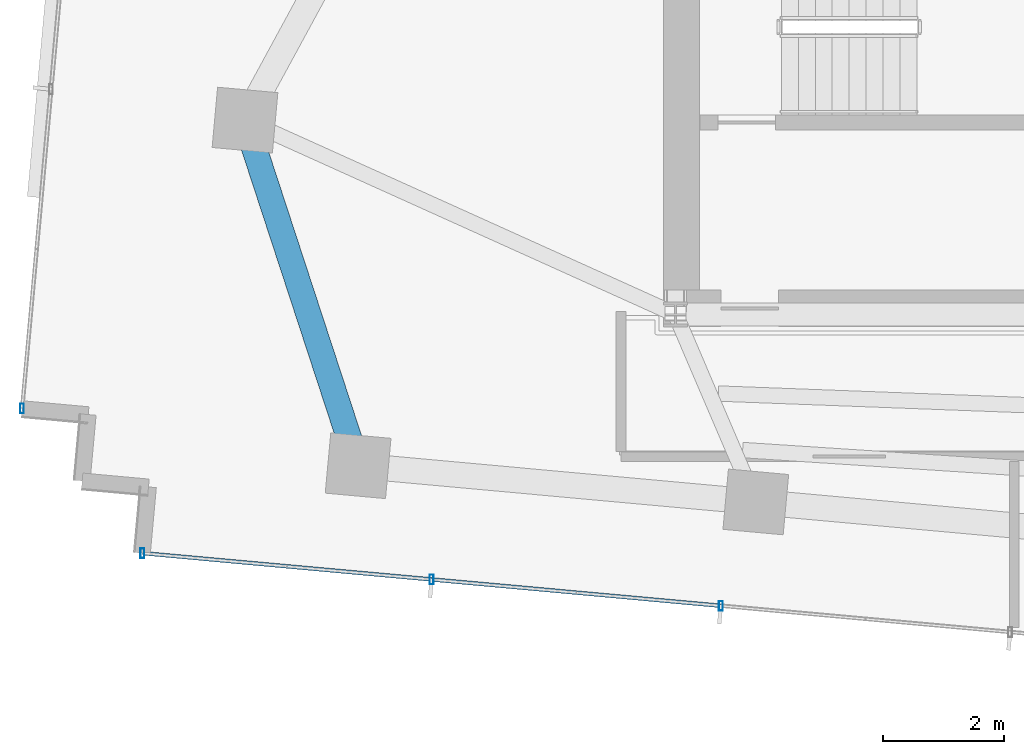
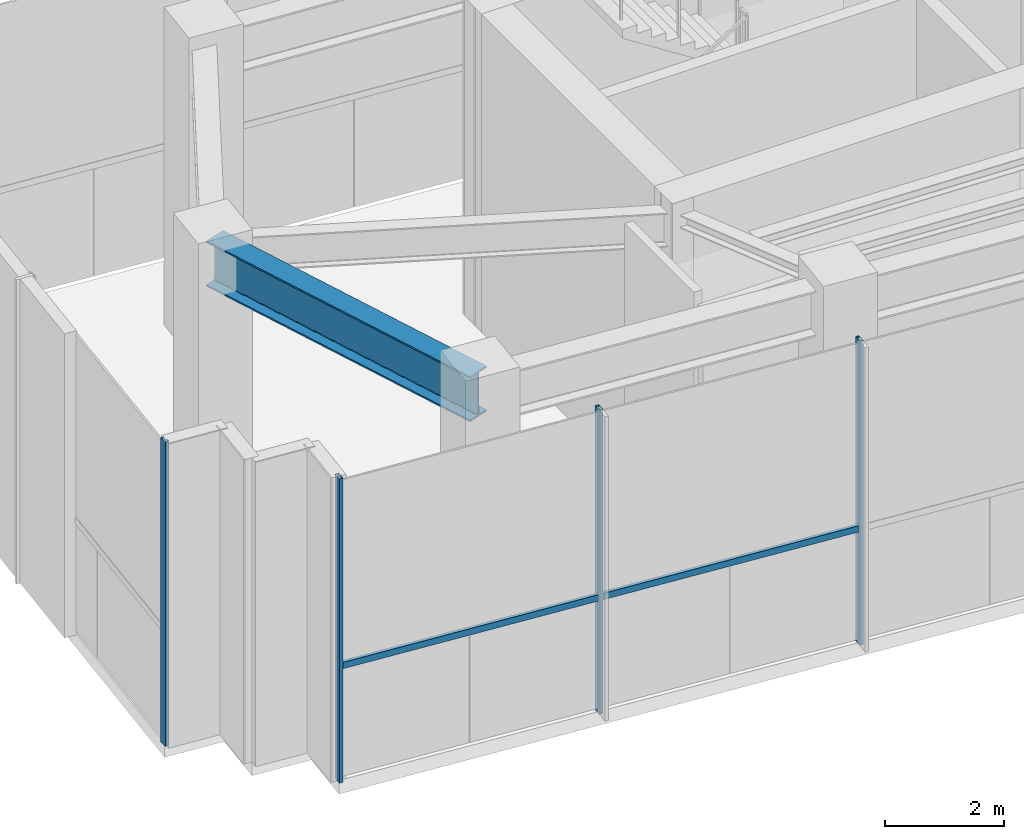
# One storey, part 2 of 18: 6 members, 1 beam, 2 elements without a shape of their own.
"""IFC4 building model written with IfcOpenShell, lengths in metres."""

from ifc_helpers import new_model, si_unit, direction, frame, origin, origin_2d, place, context, subcontext, project, spatial, hollow_rectangle, i_section, extrude, source, transform, mapped, material, material_profile, profile_set, type_object, type_shapes, element, aggregate, save


model = new_model("IFC4")

# Units and contexts
model_context = context("Model", 3, precision=1e-05, world=origin(), true_north=direction((0.0, 1.0)))
body_context = subcontext(model_context, "Body", "Model", "MODEL_VIEW")
ifc_project = project(units=[si_unit("LENGTHUNIT", "METRE"), si_unit("AREAUNIT", "SQUARE_METRE"), si_unit("VOLUMEUNIT", "CUBIC_METRE"), si_unit("PLANEANGLEUNIT", "RADIAN"), si_unit("MASSUNIT", "GRAM", prefix="KILO")], contexts=[model_context])

# Site, building, storey
site_placement = place(None, origin())
site = spatial("IfcSite", under=ifc_project, at=site_placement, CompositionType="ELEMENT")
building_placement = place(site_placement, origin())
building = spatial("IfcBuilding", under=site, at=building_placement, Name="Astriad Promenade Condominiums", CompositionType="ELEMENT")
storey_placement = place(building_placement, frame((0.0, 0.0, 277.300048828125)))
storey = spatial("IfcBuildingStorey", under=building, at=storey_placement, Name="L78", CompositionType="ELEMENT", Elevation=277.300048828125)

# Beam
ifc_material_1 = material(Name="Steel ASTM A992 Grade 50", Category="steel")
ifc_material_profile_1 = material_profile(ifc_material_1, i_section(OverallWidth=0.418212890625, OverallDepth=0.926513671875, WebThickness=0.019287109375, FlangeThickness=0.031982421875, FilletRadius=0.024169921875, at=origin_2d()), Name="W36X231")
ifc_profile_set_1 = profile_set([ifc_material_profile_1], Name="Steel ASTM A992 Grade 50")
beam_type = type_object("IfcBeamType", Name="STEEL CROWN RING BEAM W36X231", PredefinedType="BEAM", material=ifc_profile_set_1)
shared_shape_1 = source(origin(), body_context, "Body", "SweptSolid", [
    extrude(i_section(OverallWidth=0.418212890625, OverallDepth=0.926513671875, WebThickness=0.019287109375, FlangeThickness=0.031982421875, FilletRadius=0.024169921875, at=origin_2d()), origin(), (0.0, 0.0, 1.0), 5.931640625),
])
type_shapes(beam_type, [shared_shape_1])
beam_placement = place(storey_placement, frame((19.29638671875, 20.57421875, 5.756591796875), z_axis=(0.3110863773, -0.950381642215, 0.0), x_axis=(0.950381642215, 0.3110863773, 0.0)))
element("IfcBeam", 1, at=beam_placement, inside=storey, type_object=beam_type, Name="Perimeter Spandrel Beam SP-W1-L78", PredefinedType="BEAM", context=body_context, shape_type="MappedRepresentation", body=[
    mapped(shared_shape_1, transform((0.0, 0.0, 0.0), scale=1.0)),
])

# Curtain wall, member
ifc_material_2 = material(Name="Anodised aluminium Black Dark Glass Unitised", Category="aluminium")
curtain_wall_type = type_object("IfcCurtainWallType", Name="CW-TMD-LANTERN", PredefinedType="USERDEFINED", material=ifc_material_2)
curtain_wall_1_placement = place(storey_placement, origin())
curtain_wall_1 = element("IfcCurtainWall", 2, at=curtain_wall_1_placement, inside=storey, type_object=curtain_wall_type, Name="CW-CRN-L78-03", ObjectType="UNITISED_CURTAIN_WALL", PredefinedType="USERDEFINED")
ifc_material_3 = material(Name="Anodised aluminium 6063-T6 Black", Category="aluminium")
ifc_material_profile_2 = material_profile(ifc_material_3, hollow_rectangle(XDim=0.06494140625, YDim=0.159912109375, WallThickness=0.00390625, at=origin_2d()), Name="ALU-MUL-65X160")
ifc_profile_set_2 = profile_set([ifc_material_profile_2], Name="Anodised aluminium 6063-T6 Black")
member_type_1 = type_object("IfcMemberType", Name="MUL-ALU-MUL-65X160", PredefinedType="MULLION", material=ifc_profile_set_2)
shared_shape_2 = source(origin(), body_context, "Body", "SweptSolid", [
    extrude(hollow_rectangle(XDim=0.06494140625, YDim=0.159912109375, WallThickness=0.00390625, at=origin_2d()), origin(), (0.0, 0.0, 1.0), 6.219970703125),
])
type_shapes(member_type_1, [shared_shape_2])
member_1_placement = place(storey_placement, frame((15.597900390625, 15.84375, 0.0), z_axis=(0.0, 0.0, 1.0), x_axis=(1.0, 0.0, 0.0)))
member_1 = element("IfcMember", 3, at=member_1_placement, type_object=member_type_1, Name="CW-CRN-L78-03-MUL-00", PredefinedType="MULLION", context=body_context, shape_type="MappedRepresentation", body=[
    mapped(shared_shape_2, transform((0.0, 0.0, 0.0), scale=1.0)),
])
aggregate(curtain_wall_1, [member_1])

# Curtain wall, members
curtain_wall_2_placement = place(storey_placement, origin())
curtain_wall_2 = element("IfcCurtainWall", 4, at=curtain_wall_2_placement, inside=storey, type_object=curtain_wall_type, Name="CW-CRN-L78-18", ObjectType="UNITISED_CURTAIN_WALL", PredefinedType="USERDEFINED")
member_2_placement = place(storey_placement, frame((27.14990234375, 12.58349609375, 0.0), z_axis=(0.0, 0.0, 1.0), x_axis=(1.0, 0.0, 0.0)))
member_2 = element("IfcMember", 5, at=member_2_placement, type_object=member_type_1, Name="CW-CRN-L78-18-MUL-05", PredefinedType="MULLION", context=body_context, shape_type="MappedRepresentation", body=[
    mapped(shared_shape_2, transform((0.0, 0.0, 0.0), scale=1.0)),
])
member_3_placement = place(storey_placement, frame((22.36962890625, 13.0185546875, 0.0), z_axis=(0.0, 0.0, 1.0), x_axis=(1.0, 0.0, 0.0)))
member_3 = element("IfcMember", 6, at=member_3_placement, type_object=member_type_1, Name="CW-CRN-L78-18-MUL-06", PredefinedType="MULLION", context=body_context, shape_type="MappedRepresentation", body=[
    mapped(shared_shape_2, transform((0.0, 0.0, 0.0), scale=1.0)),
])
member_4_placement = place(storey_placement, frame((17.58935546875, 13.45361328125, 0.0), z_axis=(0.0, 0.0, 1.0), x_axis=(1.0, 0.0, 0.0)))
member_4 = element("IfcMember", 7, at=member_4_placement, type_object=member_type_1, Name="CW-CRN-L78-18-MUL-07", PredefinedType="MULLION", context=body_context, shape_type="MappedRepresentation", body=[
    mapped(shared_shape_2, transform((0.0, 0.0, 0.0), scale=1.0)),
])
ifc_material_profile_3 = material_profile(ifc_material_3, hollow_rectangle(XDim=0.06494140625, YDim=0.1298828125, WallThickness=0.00390625, at=origin_2d()), Name="ALU-TRN-65X130")
ifc_profile_set_3 = profile_set([ifc_material_profile_3], Name="Anodised aluminium 6063-T6 Black")
member_type_2 = type_object("IfcMemberType", Name="TRN-ALU-TRN-65X130", PredefinedType="USERDEFINED", material=ifc_profile_set_3)
shared_shape_3 = source(origin(), body_context, "Body", "SweptSolid", [
    extrude(hollow_rectangle(XDim=0.06494140625, YDim=0.1298828125, WallThickness=0.00390625, at=origin_2d()), origin(), (0.0, 0.0, 1.0), 4.800048828125),
])
type_shapes(member_type_2, [shared_shape_3])
member_5_placement = place(storey_placement, frame((27.14990234375, 12.58349609375, 2.349853515625), z_axis=(-0.995884029465, 0.09063663639, 0.0), x_axis=(-0.09063663639, -0.995884029465, 0.0)))
member_5 = element("IfcMember", 8, at=member_5_placement, type_object=member_type_2, Name="CW-CRN-L78-18-TRN-05-0", ObjectType="TRANSOM", PredefinedType="USERDEFINED", context=body_context, shape_type="MappedRepresentation", body=[
    mapped(shared_shape_3, transform((0.0, 0.0, 0.0), scale=1.0)),
])
member_6_placement = place(storey_placement, frame((22.36962890625, 13.0185546875, 2.349853515625), z_axis=(-0.995884029465, 0.09063663639, 0.0), x_axis=(-0.09063663639, -0.995884029465, 0.0)))
member_6 = element("IfcMember", 9, at=member_6_placement, type_object=member_type_2, Name="CW-CRN-L78-18-TRN-06-0", ObjectType="TRANSOM", PredefinedType="USERDEFINED", context=body_context, shape_type="MappedRepresentation", body=[
    mapped(shared_shape_3, transform((0.0, 0.0, 0.0), scale=1.0)),
])
aggregate(curtain_wall_2, [member_2, member_3, member_4, member_5, member_6])

save(model, "model.ifc")
